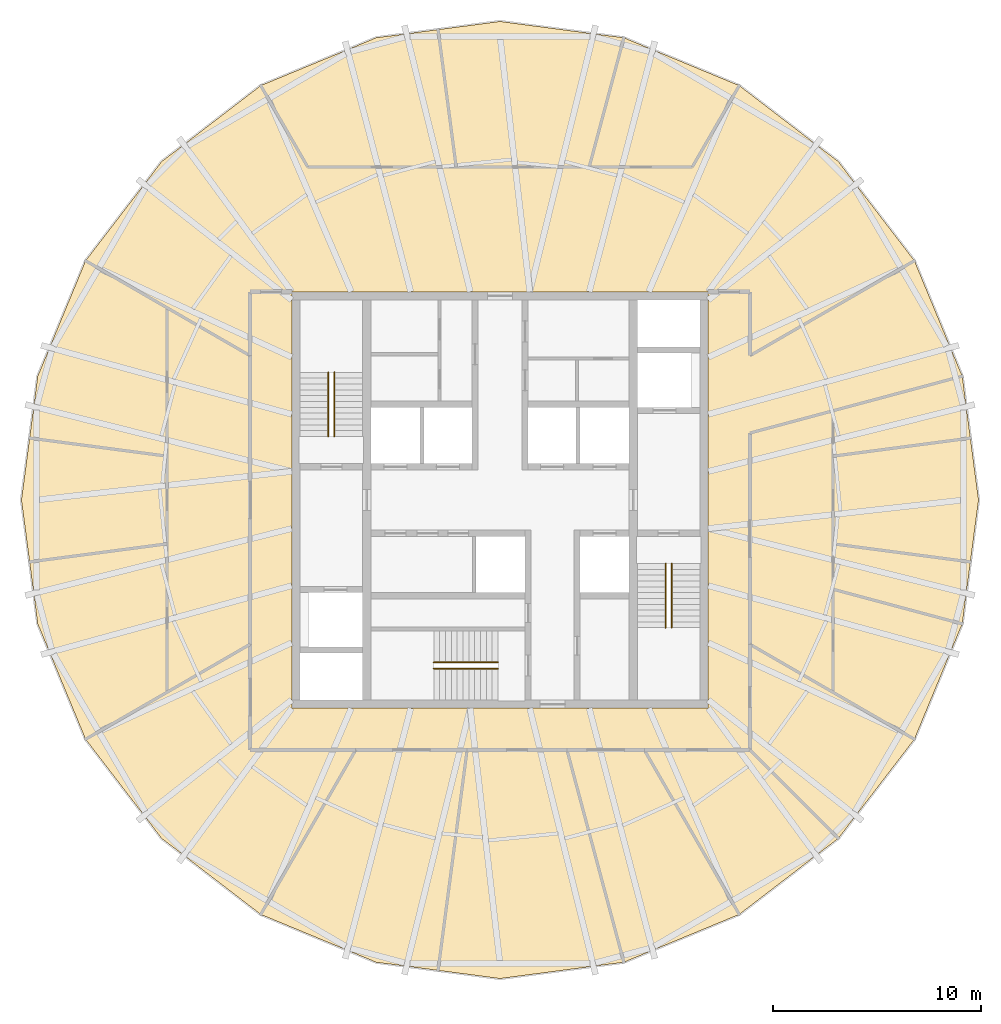
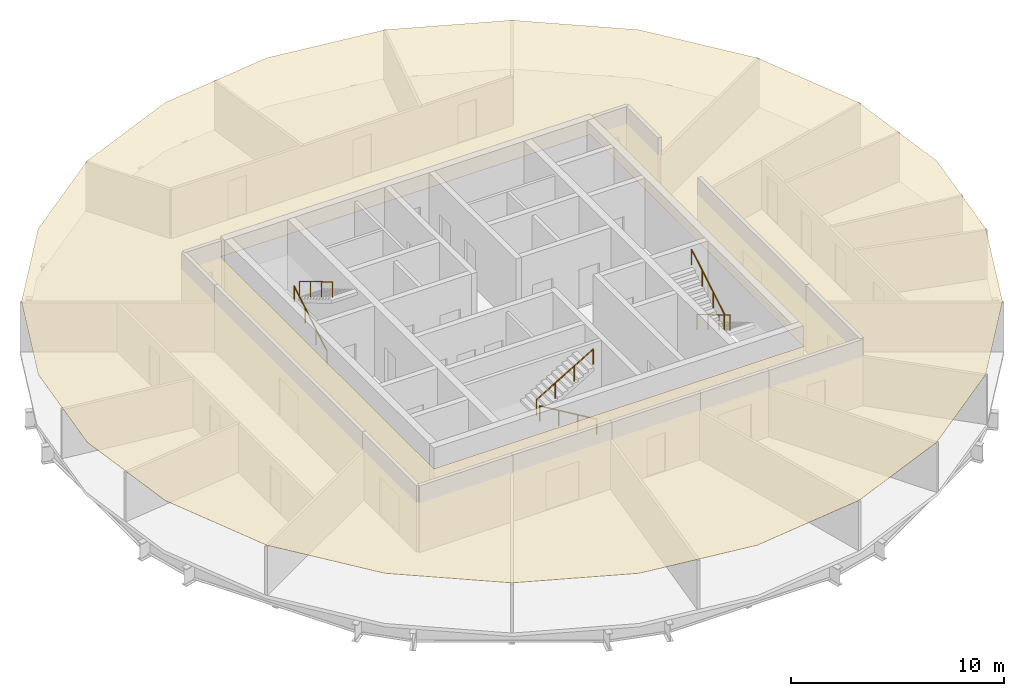
# One storey, part 6 of 6: 6 railings, 1 covering.
"""IFC4 building model written with IfcOpenShell, lengths in metres."""

from ifc_helpers import new_model, si_unit, direction, frame, origin, origin_2d, place, context, subcontext, project, spatial, polyline, circle, outline, extrude, material, layer, layer_set, type_object, element, save


model = new_model("IFC4")

# Units and contexts
model_context = context("Model", 3, precision=1e-05, world=origin(), true_north=direction((0.0, 1.0)))
body_context = subcontext(model_context, "Body", "Model", "MODEL_VIEW")
ifc_project = project(units=[si_unit("LENGTHUNIT", "METRE"), si_unit("AREAUNIT", "SQUARE_METRE"), si_unit("VOLUMEUNIT", "CUBIC_METRE"), si_unit("PLANEANGLEUNIT", "RADIAN"), si_unit("MASSUNIT", "GRAM", prefix="KILO")], contexts=[model_context])

# Site, building, storey
site_placement = place(None, origin())
site = spatial("IfcSite", under=ifc_project, at=site_placement, CompositionType="ELEMENT")
building_placement = place(site_placement, origin())
building = spatial("IfcBuilding", under=site, at=building_placement, Name="Golbaran Civic Tower", CompositionType="ELEMENT")
storey_placement = place(building_placement, frame((0.0, 0.0, 228.0)))
storey = spatial("IfcBuildingStorey", under=building, at=storey_placement, Name="L55", CompositionType="ELEMENT", Elevation=228.0)

# Railings
ifc_material_1 = material(Name="Stainless steel", Category="steel")
railing_type = type_object("IfcRailingType", Name="STAIR HANDRAIL 900", PredefinedType="HANDRAIL", material=ifc_material_1)
railing_1_placement = place(storey_placement, frame((-8.25, 3.050048828125, 0.166748046875)))
element("IfcRailing", 1, at=railing_1_placement, inside=storey, type_object=railing_type, Name="Stair S1 handrail flight 1 L55", PredefinedType="HANDRAIL", context=body_context, shape_type="SweptSolid", body=[
    extrude(circle(Radius=0.02392578125, at=origin_2d()), frame((0.0, 0.0, 0.8759765625), z_axis=(0.0, 0.859290745958, 0.51148745235), x_axis=(-1.0, 0.0, 0.0)), (0.0, 0.0, 1.0), 3.584228515625),
    extrude(circle(Radius=0.02099609375, at=origin_2d()), origin(), (0.0, 0.0, 1.0), 0.851806640625),
    extrude(circle(Radius=0.02099609375, at=origin_2d()), frame((0.0, 1.026611328125, 0.611083984375)), (0.0, 0.0, 1.0), 0.851806640625),
    extrude(circle(Radius=0.02099609375, at=origin_2d()), frame((0.0, 2.05322265625, 1.22216796875)), (0.0, 0.0, 1.0), 0.851806640625),
    extrude(circle(Radius=0.02099609375, at=origin_2d()), frame((0.0, 3.079833984375, 1.833251953125)), (0.0, 0.0, 1.0), 0.851806640625),
])
for number, where, name in (
    (2, (-7.949951171875, 6.1298828125, 2.166748046875), "Stair S1 handrail flight 2 L55"),
    (3, (8.25, -3.050048828125, 0.166748046875), "Stair S2 handrail flight 1 L55"),
):
    element("IfcRailing", number, at=place(storey_placement, frame(where)), inside=storey, type_object=railing_type, Name=name, PredefinedType="HANDRAIL", context=body_context, shape_type="SweptSolid", body=[
        extrude(circle(Radius=0.02392578125, at=origin_2d()), frame((0.0, 0.0, 0.8759765625), z_axis=(0.0, -0.859290745958, 0.51148745235), x_axis=(1.0, 0.0, 0.0)), (0.0, 0.0, 1.0), 3.584228515625),
        extrude(circle(Radius=0.02099609375, at=origin_2d()), origin(), (0.0, 0.0, 1.0), 0.851806640625),
        extrude(circle(Radius=0.02099609375, at=origin_2d()), frame((0.0, -1.026611328125, 0.611083984375)), (0.0, 0.0, 1.0), 0.851806640625),
        extrude(circle(Radius=0.02099609375, at=origin_2d()), frame((0.0, -2.05322265625, 1.22216796875)), (0.0, 0.0, 1.0), 0.851806640625),
        extrude(circle(Radius=0.02099609375, at=origin_2d()), frame((0.0, -3.079833984375, 1.833251953125)), (0.0, 0.0, 1.0), 0.851806640625),
    ])
railing_2_placement = place(storey_placement, frame((7.949951171875, -6.1298828125, 2.166748046875)))
element("IfcRailing", 4, at=railing_2_placement, inside=storey, type_object=railing_type, Name="Stair S2 handrail flight 2 L55", PredefinedType="HANDRAIL", context=body_context, shape_type="SweptSolid", body=[
    extrude(circle(Radius=0.02392578125, at=origin_2d()), frame((0.0, 0.0, 0.8759765625), z_axis=(0.0, 0.859290745958, 0.51148745235), x_axis=(-1.0, 0.0, 0.0)), (0.0, 0.0, 1.0), 3.584228515625),
    extrude(circle(Radius=0.02099609375, at=origin_2d()), origin(), (0.0, 0.0, 1.0), 0.851806640625),
    extrude(circle(Radius=0.02099609375, at=origin_2d()), frame((0.0, 1.026611328125, 0.611083984375)), (0.0, 0.0, 1.0), 0.851806640625),
    extrude(circle(Radius=0.02099609375, at=origin_2d()), frame((0.0, 2.05322265625, 1.22216796875)), (0.0, 0.0, 1.0), 0.851806640625),
    extrude(circle(Radius=0.02099609375, at=origin_2d()), frame((0.0, 3.079833984375, 1.833251953125)), (0.0, 0.0, 1.0), 0.851806640625),
])
railing_3_placement = place(storey_placement, frame((-0.10009765625, -8.10009765625, 0.166748046875)))
element("IfcRailing", 5, at=railing_3_placement, inside=storey, type_object=railing_type, Name="Stair S3 handrail flight 1 L55", PredefinedType="HANDRAIL", context=body_context, shape_type="SweptSolid", body=[
    extrude(circle(Radius=0.02392578125, at=origin_2d()), frame((0.0, 0.0, 0.8759765625), z_axis=(-0.859290745958, 0.0, 0.51148745235), x_axis=(0.0, -1.0, 0.0)), (0.0, 0.0, 1.0), 3.584228515625),
    extrude(circle(Radius=0.02099609375, at=origin_2d()), origin(), (0.0, 0.0, 1.0), 0.851806640625),
    extrude(circle(Radius=0.02099609375, at=origin_2d()), frame((-1.026611328125, 0.0, 0.611083984375)), (0.0, 0.0, 1.0), 0.851806640625),
    extrude(circle(Radius=0.02099609375, at=origin_2d()), frame((-2.05322265625, 0.0, 1.22216796875)), (0.0, 0.0, 1.0), 0.851806640625),
    extrude(circle(Radius=0.02099609375, at=origin_2d()), frame((-3.079833984375, 0.0, 1.833251953125)), (0.0, 0.0, 1.0), 0.851806640625),
])
railing_4_placement = place(storey_placement, frame((-3.179931640625, -7.800048828125, 2.166748046875)))
element("IfcRailing", 6, at=railing_4_placement, inside=storey, type_object=railing_type, Name="Stair S3 handrail flight 2 L55", PredefinedType="HANDRAIL", context=body_context, shape_type="SweptSolid", body=[
    extrude(circle(Radius=0.02392578125, at=origin_2d()), frame((0.0, 0.0, 0.8759765625), z_axis=(0.859290745958, 0.0, 0.51148745235), x_axis=(0.0, 1.0, 0.0)), (0.0, 0.0, 1.0), 3.584228515625),
    extrude(circle(Radius=0.02099609375, at=origin_2d()), origin(), (0.0, 0.0, 1.0), 0.851806640625),
    extrude(circle(Radius=0.02099609375, at=origin_2d()), frame((1.026611328125, 0.0, 0.611083984375)), (0.0, 0.0, 1.0), 0.851806640625),
    extrude(circle(Radius=0.02099609375, at=origin_2d()), frame((2.05322265625, 0.0, 1.22216796875)), (0.0, 0.0, 1.0), 0.851806640625),
    extrude(circle(Radius=0.02099609375, at=origin_2d()), frame((3.079833984375, 0.0, 1.833251953125)), (0.0, 0.0, 1.0), 0.851806640625),
])

# Covering
ifc_material_2 = material(Name="Mineral fibre tile on steel grid", Category="steel")
ifc_layer = layer(ifc_material_2, 0.02001953125, Name="Mineral fibre tile on steel grid")
ifc_layer_set = layer_set([ifc_layer], Name="Mineral fibre tile on steel grid")
covering_type = type_object("IfcCoveringType", Name="SUSPENDED CEILING 600 TILE 20", PredefinedType="CEILING", material=ifc_layer_set)
covering_placement = place(storey_placement, frame((0.0, 0.0, 2.800048828125)))
element("IfcCovering", 7, at=covering_placement, inside=storey, type_object=covering_type, Name="Suspended ceiling L55", PredefinedType="CEILING", context=body_context, shape_type="SweptSolid", body=[
    extrude(outline(polyline([(-19.90478515625, 11.491943359375), (-16.252197265625, 16.252197265625), (-11.491943359375, 19.90478515625), (-5.94873046875, 22.200927734375), (-3.123046875, 22.57275390625), (0.0, 22.98388671875), (5.94873046875, 22.200927734375), (11.491943359375, 19.90478515625), (16.252197265625, 16.252197265625), (19.90478515625, 11.491943359375), (22.200927734375, 5.94873046875), (22.57275390625, 3.123046875), (22.98388671875, 0.0), (22.200927734375, -5.94873046875), (19.90478515625, -11.491943359375), (16.252197265625, -16.252197265625), (11.491943359375, -19.90478515625), (5.94873046875, -22.200927734375), (0.0, -22.98388671875), (-5.94873046875, -22.200927734375), (-11.491943359375, -19.90478515625), (-16.252197265625, -16.252197265625), (-19.90478515625, -11.491943359375), (-22.200927734375, -5.94873046875), (-22.57275390625, -3.123046875), (-22.98388671875, 0.0), (-22.200927734375, 5.94873046875), (-19.90478515625, 11.491943359375)]), holes=[polyline([(10.0, 10.0), (-10.0, 10.0), (-10.0, -10.0), (10.0, -10.0), (10.0, 10.0)])]), origin(), (0.0, 0.0, 1.0), 0.02001953125),
])

save(model, "model.ifc")
